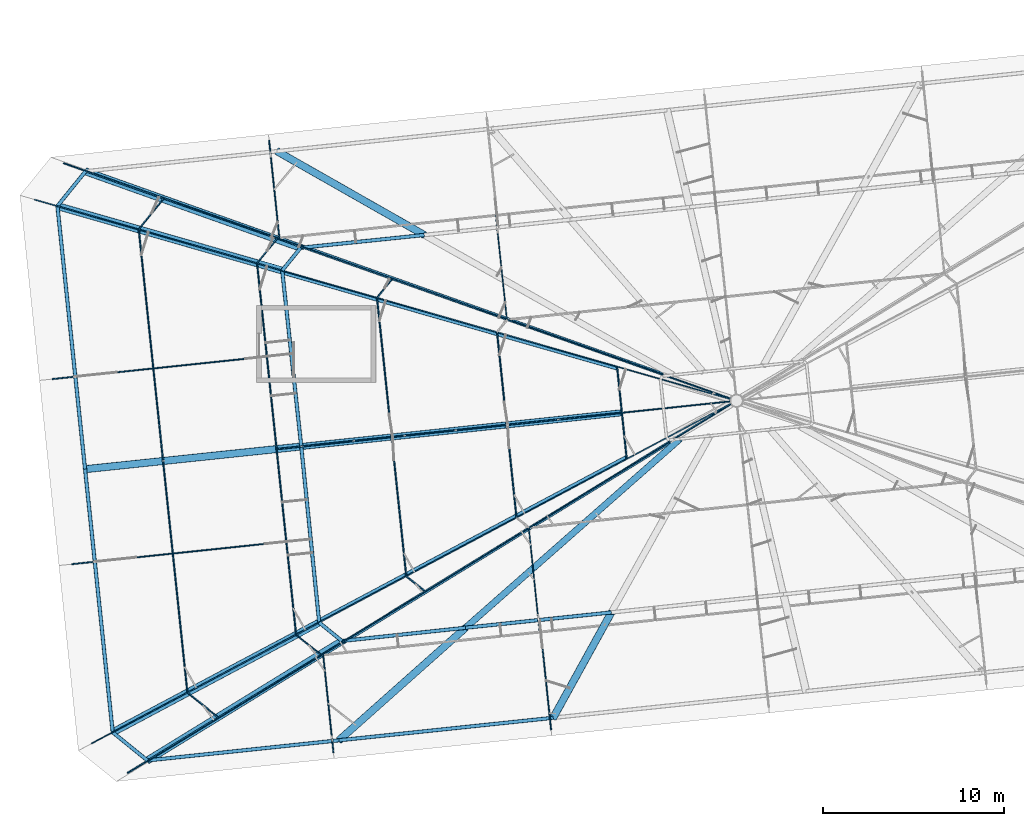
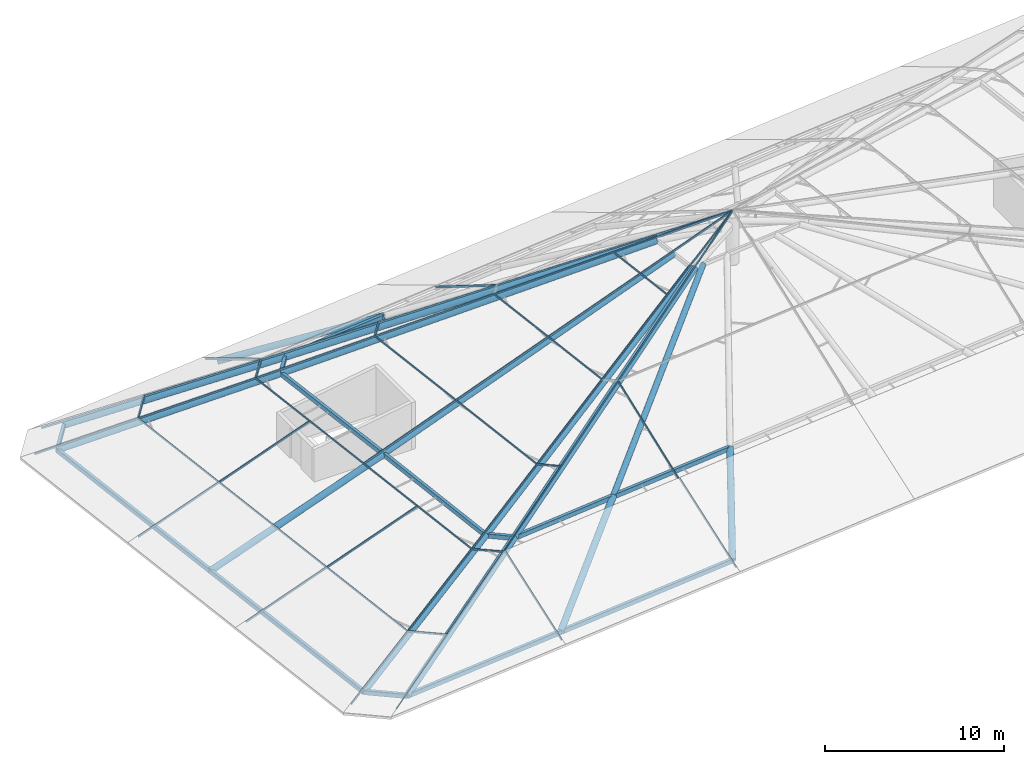
# One storey, part 1 of 20: 41 members, 13 beams, 10 elements without a shape of their own.
"""IFC4 building model written with IfcOpenShell, lengths in metres."""

import ifcopenshell
import ifcopenshell.guid

model = None  # the IFC model being written
_history = None  # IfcOwnerHistory: only IFC2X3 demands one
_inside = {}  # id of a spatial element -> (the spatial element, [elements in it])
_under = {}  # id of a project, library or spatial element -> (it, [spatial elements below it])
_declared = {}  # id of a project -> (the project, [libraries it declares])
_typed = {}  # id of a type object -> (the type object, [elements of that type])
_made_of = {}  # id of a material, layer set ... -> (it, [elements and type objects made of it])


def new_model(schema):
    """Start an empty IFC model of exactly this schema.

    Asked for "IFC4X3", IfcOpenShell would pick the latest addendum, in which some entities
    have other attributes; the version numbers below select the first issue.
    IFC2X3 requires an IfcOwnerHistory on every rooted entity: one is made here for all.
    """
    global model, _history
    if schema == "IFC4X3":
        model = ifcopenshell.file(schema_version=(4, 3, 0, 0))
    else:
        model = ifcopenshell.file(schema=schema)
    _inside.clear()
    _under.clear()
    _declared.clear()
    _typed.clear()
    _made_of.clear()
    _history = None
    if model.schema == "IFC2X3":
        org = make("IfcOrganization", Name="unknown")
        user = make(
            "IfcPersonAndOrganization",
            ThePerson=make("IfcPerson", FamilyName="unknown"),
            TheOrganization=org,
        )
        app = make(
            "IfcApplication",
            ApplicationDeveloper=org,
            Version="unknown",
            ApplicationFullName="unknown",
            ApplicationIdentifier="unknown",
        )
        _history = make(
            "IfcOwnerHistory",
            OwningUser=user,
            OwningApplication=app,
            ChangeAction="ADDED",
            CreationDate=0,
        )
    return model


def make(cls, **values):
    """One entity of the class cls with the attributes given. An attribute that is None is left unset."""
    return model.create_entity(
        cls, **{name: value for name, value in values.items() if value is not None}
    )


def rooted(cls, **values):
    """An entity with a GlobalId (a new one), such as an element, a storey or a relation."""
    return make(cls, GlobalId=ifcopenshell.guid.new(), OwnerHistory=_history, **values)


def si_unit(unit_type, name, prefix=None):
    """IfcSIUnit, for example si_unit("LENGTHUNIT", "METRE", prefix="MILLI")."""
    return make("IfcSIUnit", UnitType=unit_type, Prefix=prefix, Name=name)


def assignment(units):
    """IfcUnitAssignment: the units of a project."""
    return None if units is None else make("IfcUnitAssignment", Units=units)


def point(xyz):
    """IfcCartesianPoint."""
    return None if xyz is None else make("IfcCartesianPoint", Coordinates=xyz)


def direction(xyz):
    """IfcDirection."""
    return None if xyz is None else make("IfcDirection", DirectionRatios=xyz)


def frame(location, z_axis=None, x_axis=None):
    """IfcAxis2Placement3D, a coordinate frame: its origin and axes. An axis left out is left unset."""
    return make(
        "IfcAxis2Placement3D",
        Location=point(location),
        Axis=direction(z_axis),
        RefDirection=direction(x_axis),
    )


def frame_2d(location, x_axis=None):
    """IfcAxis2Placement2D, a coordinate frame in the plane: its origin and x axis."""
    return make(
        "IfcAxis2Placement2D", Location=point(location), RefDirection=direction(x_axis)
    )


def origin():
    """The frame at (0, 0, 0) with its axes left unset."""
    return frame((0.0, 0.0, 0.0))


def origin_2d():
    """The frame at (0, 0) in the plane with its x axis left unset."""
    return frame_2d((0.0, 0.0))


def place(relative_to, where):
    """IfcLocalPlacement: puts the frame where relative to a parent placement (None: the world)."""
    return make(
        "IfcLocalPlacement", PlacementRelTo=relative_to, RelativePlacement=where
    )


def context(
    kind, dimensions, precision=None, world=None, true_north=None, identifier=None
):
    """IfcGeometricRepresentationContext, for example the 3D "Model" context."""
    return make(
        "IfcGeometricRepresentationContext",
        ContextIdentifier=identifier,
        ContextType=kind,
        CoordinateSpaceDimension=dimensions,
        Precision=precision,
        WorldCoordinateSystem=world,
        TrueNorth=true_north,
    )


def subcontext(parent, identifier, kind, view, scale=None):
    """IfcGeometricRepresentationSubContext, for example "Body" below "Model"."""
    return make(
        "IfcGeometricRepresentationSubContext",
        ContextIdentifier=identifier,
        ContextType=kind,
        ParentContext=parent,
        TargetScale=scale,
        TargetView=view,
    )


def project(units=None, contexts=None):
    """IfcProject with its units and contexts."""
    return rooted(
        "IfcProject",
        Name="project",
        RepresentationContexts=contexts,
        UnitsInContext=assignment(units),
    )


def spatial(cls, under=None, at=None, **own):
    """A site, building, storey or space (cls), placed at a placement, below another one or the project."""
    s = rooted(cls, ObjectPlacement=at, **own)
    if under is not None:
        _under.setdefault(under.id(), (under, []))[1].append(s)
    return s


def profile(cls, at=None, kind="AREA", **sizes):
    """A parametric profile (cls). Its sizes go by their IFC names, for example OverallWidth=200.0."""
    return make(cls, ProfileType=kind, Position=at, **sizes)


def rectangle(**sizes):
    """IfcRectangleProfileDef."""
    return profile("IfcRectangleProfileDef", **sizes)


def hollow_rectangle(**sizes):
    """IfcRectangleHollowProfileDef."""
    return profile("IfcRectangleHollowProfileDef", **sizes)


def hollow_circle(**sizes):
    """IfcCircleHollowProfileDef."""
    return profile("IfcCircleHollowProfileDef", **sizes)


def extrude(swept, where, along, depth):
    """IfcExtrudedAreaSolid: the profile swept, set in the frame where, extruded along a direction by depth."""
    return make(
        "IfcExtrudedAreaSolid",
        SweptArea=swept,
        Position=where,
        ExtrudedDirection=direction(along),
        Depth=depth,
    )


def shape(context_of_items, identifier, shape_type, items):
    """IfcShapeRepresentation: the items that make up one representation, for example the "Body"."""
    return make(
        "IfcShapeRepresentation",
        ContextOfItems=context_of_items,
        RepresentationIdentifier=identifier,
        RepresentationType=shape_type,
        Items=items,
    )


def material(Name=None, Category=None):
    """IfcMaterial."""
    return make("IfcMaterial", Name=Name, Category=Category)


def layer(
    of_material, thickness, ventilated=None, Name=None, Category=None, Priority=None
):
    """IfcMaterialLayer: one layer of a wall or slab, of a material (None: an air gap)."""
    return make(
        "IfcMaterialLayer",
        Material=of_material,
        LayerThickness=thickness,
        IsVentilated=ventilated,
        Name=Name,
        Category=Category,
        Priority=Priority,
    )


def layer_set(layers, Name=None):
    """IfcMaterialLayerSet."""
    return make("IfcMaterialLayerSet", MaterialLayers=layers, LayerSetName=Name)


def material_profile(
    of_material, cross_section, Name=None, Category=None, Priority=None
):
    """IfcMaterialProfile: a cross section and its material."""
    return make(
        "IfcMaterialProfile",
        Name=Name,
        Material=of_material,
        Profile=cross_section,
        Priority=Priority,
        Category=Category,
    )


def profile_set(profiles, Name=None, composite=None):
    """IfcMaterialProfileSet."""
    return make(
        "IfcMaterialProfileSet",
        Name=Name,
        MaterialProfiles=profiles,
        CompositeProfile=composite,
    )


def made_of(thing, what):
    """Note that an element or type object is made of a material, layer set ...; save() writes the relation."""
    if what is not None:
        _made_of.setdefault(what.id(), (what, []))[1].append(thing)
    return thing


def type_object(cls, material=None, **own):
    """A type object (cls), such as IfcWallType, which elements share."""
    return made_of(rooted(cls, **own), material)


def element(
    cls,
    number,
    at=None,
    inside=None,
    cuts=None,
    type_object=None,
    material=None,
    context=None,
    identifier="Body",
    shape_type=None,
    held_by="IfcProductDefinitionShape",
    body=None,
    shapes=None,
    **own,
):
    """One element of the class cls, such as IfcWall. Its Tag is "e" and its number.

    at: its placement. inside: the storey or other place that contains it. cuts: it is an
    opening in that element (IfcRelVoidsElement). A single representation is given by context,
    identifier, shape_type and body (its items); several are given by shapes. held_by: the class
    of the entity that holds the representations. save() writes the other relations.
    """
    e = rooted(cls, Tag="e%d" % number, ObjectPlacement=at, **own)
    if body is not None:
        shapes = [shape(context, identifier, shape_type, body)]
    if shapes is not None:
        e.Representation = make(held_by, Representations=shapes)
    if inside is not None:
        _inside.setdefault(inside.id(), (inside, []))[1].append(e)
    if cuts is not None:
        rooted(
            "IfcRelVoidsElement", RelatingBuildingElement=cuts, RelatedOpeningElement=e
        )
    if type_object is not None:
        _typed.setdefault(type_object.id(), (type_object, []))[1].append(e)
    return made_of(e, material)


def aggregate(whole, parts):
    """IfcRelAggregates: a whole, such as a stair, and the parts it consists of."""
    return rooted("IfcRelAggregates", RelatingObject=whole, RelatedObjects=parts)


def save(model, path):
    """Write the relations noted so far, then the file.

    IfcRelAggregates (storeys below a building ...), IfcRelContainedInSpatialStructure (elements
    in a storey), IfcRelDefinesByType, IfcRelAssociatesMaterial and IfcRelDeclares: one each for
    every whole, place, type object, material and project.
    """
    for whole, parts in _under.values():
        aggregate(whole, parts)
    for where, things in _inside.values():
        rooted(
            "IfcRelContainedInSpatialStructure",
            RelatedElements=things,
            RelatingStructure=where,
        )
    for kind, things in _typed.values():
        rooted("IfcRelDefinesByType", RelatedObjects=things, RelatingType=kind)
    for what, things in _made_of.values():
        rooted("IfcRelAssociatesMaterial", RelatedObjects=things, RelatingMaterial=what)
    for by, libraries in _declared.values():
        rooted("IfcRelDeclares", RelatingContext=by, RelatedDefinitions=libraries)
    model.write(path)


model = new_model("IFC4")

# Units and contexts
model_context = context("Model", 3, precision=1e-05, world=origin(), true_north=direction((0.0, 1.0)))
body_context = subcontext(model_context, "Body", "Model", "MODEL_VIEW")
ifc_project = project(units=[si_unit("LENGTHUNIT", "METRE"), si_unit("AREAUNIT", "SQUARE_METRE"), si_unit("VOLUMEUNIT", "CUBIC_METRE"), si_unit("PLANEANGLEUNIT", "RADIAN"), si_unit("MASSUNIT", "GRAM", prefix="KILO")], contexts=[model_context])

# Site, building, storey
site_placement = place(None, origin())
site = spatial("IfcSite", under=ifc_project, at=site_placement, CompositionType="ELEMENT")
building_placement = place(site_placement, origin())
building = spatial("IfcBuilding", under=site, at=building_placement, Name="Hakoniwa Tower and Hamabe Station Hall", CompositionType="ELEMENT")
storey_placement = place(building_placement, frame((0.0, 0.0, 285.0)))
storey = spatial("IfcBuildingStorey", under=building, at=storey_placement, Name="Roof", CompositionType="ELEMENT", Elevation=285.0)

# Members
ifc_material_1 = material(Name="Steel STK490", Category="steel")
ifc_material_profile_1 = material_profile(ifc_material_1, hollow_circle(Radius=0.177734375, WallThickness=0.0126953125, at=origin_2d()), Name="CHS-355.6x12.7")
ifc_profile_set_1 = profile_set([ifc_material_profile_1], Name="Steel STK490")
member_type_1 = type_object("IfcMemberType", Name="CROWN RIB CHS-355.6x12.7", PredefinedType="MEMBER", material=ifc_profile_set_1)
member_1_placement = place(storey_placement, frame((-23.9951171875, -0.02197265625, 3.199951171875), z_axis=(0.960394605151, 0.100943997903, 0.259716213751), x_axis=(-0.10453098016, 0.994521630829, 0.0)))
element("IfcMember", 1, at=member_1_placement, inside=storey, type_object=member_type_1, Name="CROWN FRAME CRB-10", PredefinedType="MEMBER", context=body_context, shape_type="SweptSolid", body=[
    extrude(hollow_circle(Radius=0.177734375, WallThickness=0.0126953125, at=origin_2d()), origin(), (0.0, 0.0, 1.0), 20.79248046875),
])
member_2_placement = place(storey_placement, frame((-14.938720703125, -10.014892578125, 3.199951171875), z_axis=(0.709857797953, 0.62515777263, 0.324468281972), x_axis=(-0.660915567268, 0.750460267398, 0.0)))
element("IfcMember", 2, at=member_2_placement, inside=storey, type_object=member_type_1, Name="CROWN FRAME CRB-13", PredefinedType="MEMBER", context=body_context, shape_type="SweptSolid", body=[
    extrude(hollow_circle(Radius=0.177734375, WallThickness=0.0126953125, at=origin_2d()), origin(), (0.0, 0.0, 1.0), 16.64306640625),
])
ifc_material_2 = material(Name="Steel STK490", Category="steel")
ifc_material_profile_2 = material_profile(ifc_material_2, hollow_circle(Radius=0.203125, WallThickness=0.01611328125, at=origin_2d()), Name="CHS-406.4x16")
ifc_profile_set_2 = profile_set([ifc_material_profile_2], Name="Steel STK490")
member_type_2 = type_object("IfcMemberType", Name="CROWN RIB CHS-406.4x16", PredefinedType="MEMBER", material=ifc_profile_set_2)
member_3_placement = place(storey_placement, frame((-25.329833984375, 16.25390625, 0.14990234375), z_axis=(0.826169745052, -0.470147796978, 0.310490903824), x_axis=(0.494592356098, 0.869125078047, 0.0)))
element("IfcMember", 3, at=member_3_placement, inside=storey, type_object=member_type_2, Name="CROWN FRAME CRF-07", PredefinedType="MEMBER", context=body_context, shape_type="SweptSolid", body=[
    extrude(hollow_circle(Radius=0.203125, WallThickness=0.01611328125, at=origin_2d()), origin(), (0.0, 0.0, 1.0), 9.8232421875),
])
member_4_placement = place(storey_placement, frame((-35.888427734375, 15.14404296875, 0.14990234375), z_axis=(0.915783870683, -0.325348487485, 0.235559469959), x_axis=(0.334768905761, 0.942300259862, 0.0)))
element("IfcMember", 4, at=member_4_placement, inside=storey, type_object=member_type_2, Name="CROWN FRAME CH-3-1", PredefinedType="MEMBER", context=body_context, shape_type="SweptSolid", body=[
    extrude(hollow_circle(Radius=0.203125, WallThickness=0.01611328125, at=origin_2d()), origin(), (0.0, 0.0, 1.0), 12.947998046875),
])
member_5_placement = place(storey_placement, frame((-24.03076171875, 10.931396484375, 3.199951171875), z_axis=(0.9132514671, -0.323886863928, 0.247121543402), x_axis=(0.334253919553, 0.942483059404, 0.0)))
element("IfcMember", 5, at=member_5_placement, inside=storey, type_object=member_type_2, Name="CROWN FRAME CH-3-2", PredefinedType="MEMBER", context=body_context, shape_type="SweptSolid", body=[
    extrude(hollow_circle(Radius=0.203125, WallThickness=0.01611328125, at=origin_2d()), origin(), (0.0, 0.0, 1.0), 21.852294921875),
])
member_6_placement = place(storey_placement, frame((-37.4375, 13.231201171875, 0.14990234375), z_axis=(0.935455863756, -0.268165611488, 0.230237989438), x_axis=(0.275568949724, 0.961281308436, 0.0)))
element("IfcMember", 6, at=member_6_placement, inside=storey, type_object=member_type_2, Name="CROWN FRAME CH-4-1", PredefinedType="MEMBER", context=body_context, shape_type="SweptSolid", body=[
    extrude(hollow_circle(Radius=0.203125, WallThickness=0.01611328125, at=origin_2d()), origin(), (0.0, 0.0, 1.0), 13.247314453125),
])
member_7_placement = place(storey_placement, frame((-25.045166015625, 9.6787109375, 3.199951171875), z_axis=(0.932802333081, -0.26739663573, 0.241617148809), x_axis=(0.275561053028, 0.961283572134, 0.0)))
element("IfcMember", 7, at=member_7_placement, inside=storey, type_object=member_type_2, Name="CROWN FRAME CH-4-2", PredefinedType="MEMBER", context=body_context, shape_type="SweptSolid", body=[
    extrude(hollow_circle(Radius=0.203125, WallThickness=0.01611328125, at=origin_2d()), origin(), (0.0, 0.0, 1.0), 22.35009765625),
])
member_8_placement = place(storey_placement, frame((-35.9130859375, -1.274658203125, 0.14990234375), z_axis=(0.963794183339, 0.101303424179, 0.246654390619), x_axis=(-0.1045331311, 0.994521404748, 0.0)))
element("IfcMember", 8, at=member_8_placement, inside=storey, type_object=member_type_2, Name="CROWN FRAME CRF-10", PredefinedType="MEMBER", context=body_context, shape_type="SweptSolid", body=[
    extrude(hollow_circle(Radius=0.203125, WallThickness=0.01611328125, at=origin_2d()), origin(), (0.0, 0.0, 1.0), 12.36572265625),
])
member_9_placement = place(storey_placement, frame((-34.38818359375, -15.7802734375, 0.14990234375), z_axis=(0.85925987518, 0.456795111235, 0.230240511767), x_axis=(-0.46940629538, 0.88298229306, 0.0)))
element("IfcMember", 9, at=member_9_placement, inside=storey, type_object=member_type_2, Name="CROWN FRAME CH-5-1", PredefinedType="MEMBER", context=body_context, shape_type="SweptSolid", body=[
    extrude(hollow_circle(Radius=0.203125, WallThickness=0.01611328125, at=origin_2d()), origin(), (0.0, 0.0, 1.0), 13.247314453125),
])
member_10_placement = place(storey_placement, frame((-23.00537109375, -9.72900390625, 3.199951171875), z_axis=(0.856822837257, 0.455496060515, 0.24161532321), x_axis=(-0.469403494722, 0.882983781925, 0.0)))
element("IfcMember", 10, at=member_10_placement, inside=storey, type_object=member_type_2, Name="CROWN FRAME CH-5-2", PredefinedType="MEMBER", context=body_context, shape_type="SweptSolid", body=[
    extrude(hollow_circle(Radius=0.203125, WallThickness=0.01611328125, at=origin_2d()), origin(), (0.0, 0.0, 1.0), 22.35009765625),
])
member_11_placement = place(storey_placement, frame((-32.475341796875, -17.32958984375, 0.14990234375), z_axis=(0.828119300179, 0.508656064684, 0.235557705308), x_axis=(-0.523383896937, 0.852096999424, 0.0)))
element("IfcMember", 11, at=member_11_placement, inside=storey, type_object=member_type_2, Name="CROWN FRAME CH-6-1", PredefinedType="MEMBER", context=body_context, shape_type="SweptSolid", body=[
    extrude(hollow_circle(Radius=0.203125, WallThickness=0.01611328125, at=origin_2d()), origin(), (0.0, 0.0, 1.0), 12.9482421875),
])
member_12_placement = place(storey_placement, frame((-21.752685546875, -10.743408203125, 3.199951171875), z_axis=(0.825956394147, 0.506681479696, 0.247123275107), x_axis=(-0.522899711615, 0.852394211379, 0.0)))
element("IfcMember", 12, at=member_12_placement, inside=storey, type_object=member_type_2, Name="CROWN FRAME CH-6-2", PredefinedType="MEMBER", context=body_context, shape_type="SweptSolid", body=[
    extrude(hollow_circle(Radius=0.203125, WallThickness=0.01611328125, at=origin_2d()), origin(), (0.0, 0.0, 1.0), 21.85205078125),
])
member_13_placement = place(storey_placement, frame((-21.916748046875, -16.2197265625, 0.14990234375), z_axis=(0.710360571468, 0.631649776918, 0.310493828961), x_axis=(-0.664492032964, 0.747295348659, 0.0)))
element("IfcMember", 13, at=member_13_placement, inside=storey, type_object=member_type_2, Name="CROWN FRAME CRF-13", PredefinedType="MEMBER", context=body_context, shape_type="SweptSolid", body=[
    extrude(hollow_circle(Radius=0.203125, WallThickness=0.01611328125, at=origin_2d()), origin(), (0.0, 0.0, 1.0), 9.8232421875),
])
member_14_placement = place(storey_placement, frame((-10.10498046875, -14.978271484375, 0.14990234375), z_axis=(0.438917858324, 0.795509359252, 0.417751089749), x_axis=(-0.875570168766, 0.48309096407, 0.0)))
element("IfcMember", 14, at=member_14_placement, inside=storey, type_object=member_type_2, Name="CROWN FRAME CRF-14", PredefinedType="MEMBER", context=body_context, shape_type="SweptSolid", body=[
    extrude(hollow_circle(Radius=0.203125, WallThickness=0.01611328125, at=origin_2d()), origin(), (0.0, 0.0, 1.0), 7.301025390625),
])

# Beams
ifc_material_3 = material(Name="Steel STKR400", Category="steel")
ifc_material_profile_3 = material_profile(ifc_material_3, hollow_rectangle(XDim=0.199951171875, YDim=0.300048828125, WallThickness=0.009033203125, InnerFilletRadius=0.00439453125, OuterFilletRadius=0.013427734375, at=origin_2d()), Name="RHS-300x200x9")
ifc_profile_set_3 = profile_set([ifc_material_profile_3], Name="Steel STKR400")
beam_type = type_object("IfcBeamType", Name="CROWN RING BEAM RHS-300x200x9", PredefinedType="BEAM", material=ifc_profile_set_3)
beam_1_placement = place(storey_placement, frame((-35.888427734375, 15.14404296875, 0.14990234375), z_axis=(-0.629340884158, -0.777129366017, 0.0), x_axis=(0.777129366017, -0.629340884158, 0.0)))
element("IfcBeam", 15, at=beam_1_placement, inside=storey, type_object=beam_type, Name="CROWN FRAME CRA-08", PredefinedType="BEAM", context=body_context, shape_type="SweptSolid", body=[
    extrude(hollow_rectangle(XDim=0.199951171875, YDim=0.300048828125, WallThickness=0.009033203125, InnerFilletRadius=0.00439453125, OuterFilletRadius=0.013427734375, at=origin_2d()), origin(), (0.0, 0.0, 1.0), 2.46142578125),
])
beam_2_placement = place(storey_placement, frame((-37.4375, 13.231201171875, 0.14990234375), z_axis=(0.104514006356, -0.994523414745, 0.0), x_axis=(0.994523414745, 0.104514006356, 0.0)))
element("IfcBeam", 16, at=beam_2_placement, inside=storey, type_object=beam_type, Name="CROWN FRAME CRA-09", PredefinedType="BEAM", context=body_context, shape_type="SweptSolid", body=[
    extrude(hollow_rectangle(XDim=0.199951171875, YDim=0.300048828125, WallThickness=0.009033203125, InnerFilletRadius=0.00439453125, OuterFilletRadius=0.013427734375, at=origin_2d()), origin(), (0.0, 0.0, 1.0), 14.585693359375),
])
beam_3_placement = place(storey_placement, frame((-35.9130859375, -1.274658203125, 0.14990234375), z_axis=(0.104548857506, -0.994519751636, 0.0), x_axis=(0.994519751636, 0.104548857506, 0.0)))
element("IfcBeam", 17, at=beam_3_placement, inside=storey, type_object=beam_type, Name="CROWN FRAME CRA-10", PredefinedType="BEAM", context=body_context, shape_type="SweptSolid", body=[
    extrude(hollow_rectangle(XDim=0.199951171875, YDim=0.300048828125, WallThickness=0.009033203125, InnerFilletRadius=0.00439453125, OuterFilletRadius=0.013427734375, at=origin_2d()), origin(), (0.0, 0.0, 1.0), 14.58544921875),
])
beam_4_placement = place(storey_placement, frame((-34.38818359375, -15.7802734375, 0.14990234375), z_axis=(0.777080856479, -0.6294007805, 0.0), x_axis=(0.6294007805, 0.777080856479, 0.0)))
element("IfcBeam", 18, at=beam_4_placement, inside=storey, type_object=beam_type, Name="CROWN FRAME CRA-11", PredefinedType="BEAM", context=body_context, shape_type="SweptSolid", body=[
    extrude(hollow_rectangle(XDim=0.199951171875, YDim=0.300048828125, WallThickness=0.009033203125, InnerFilletRadius=0.00439453125, OuterFilletRadius=0.013427734375, at=origin_2d()), origin(), (0.0, 0.0, 1.0), 2.461669921875),
])
beam_5_placement = place(storey_placement, frame((-32.475341796875, -17.32958984375, 0.14990234375), z_axis=(0.99452081471, 0.104538744535, 0.0), x_axis=(-0.104538744535, 0.99452081471, 0.0)))
element("IfcBeam", 19, at=beam_5_placement, inside=storey, type_object=beam_type, Name="CROWN FRAME CRA-12", PredefinedType="BEAM", context=body_context, shape_type="SweptSolid", body=[
    extrude(hollow_rectangle(XDim=0.199951171875, YDim=0.300048828125, WallThickness=0.009033203125, InnerFilletRadius=0.00439453125, OuterFilletRadius=0.013427734375, at=origin_2d()), origin(), (0.0, 0.0, 1.0), 10.61669921875),
])
beam_6_placement = place(storey_placement, frame((-21.916748046875, -16.2197265625, 0.14990234375), z_axis=(0.994521997954, 0.104527487228, 0.0), x_axis=(-0.104527487228, 0.994521997954, 0.0)))
element("IfcBeam", 20, at=beam_6_placement, inside=storey, type_object=beam_type, Name="CROWN FRAME CRA-13", PredefinedType="BEAM", context=body_context, shape_type="SweptSolid", body=[
    extrude(hollow_rectangle(XDim=0.199951171875, YDim=0.300048828125, WallThickness=0.009033203125, InnerFilletRadius=0.00439453125, OuterFilletRadius=0.013427734375, at=origin_2d()), origin(), (0.0, 0.0, 1.0), 11.876708984375),
])
beam_7_placement = place(storey_placement, frame((-17.214111328125, 11.635498046875, 3.199951171875), z_axis=(-0.994707750586, -0.102744785383, 0.0), x_axis=(0.102744785383, -0.994707750586, 0.0)))
element("IfcBeam", 21, at=beam_7_placement, inside=storey, type_object=beam_type, Name="CROWN FRAME CR1-07", PredefinedType="BEAM", context=body_context, shape_type="SweptSolid", body=[
    extrude(hollow_rectangle(XDim=0.199951171875, YDim=0.300048828125, WallThickness=0.009033203125, InnerFilletRadius=0.00439453125, OuterFilletRadius=0.013427734375, at=origin_2d()), origin(), (0.0, 0.0, 1.0), 6.85302734375),
])
beam_8_placement = place(storey_placement, frame((-24.03076171875, 10.931396484375, 3.199951171875), z_axis=(-0.629320219595, -0.777146100299, 0.0), x_axis=(0.777146100299, -0.629320219595, 0.0)))
element("IfcBeam", 22, at=beam_8_placement, inside=storey, type_object=beam_type, Name="CROWN FRAME CR1-08", PredefinedType="BEAM", context=body_context, shape_type="SweptSolid", body=[
    extrude(hollow_rectangle(XDim=0.199951171875, YDim=0.300048828125, WallThickness=0.009033203125, InnerFilletRadius=0.00439453125, OuterFilletRadius=0.013427734375, at=origin_2d()), origin(), (0.0, 0.0, 1.0), 1.61181640625),
])
for number, where, z_axis, x_axis, name in (
    (23, (-25.045166015625, 9.6787109375, 3.199951171875), (0.107616197734, -0.994192513543, 0.0), (0.994192513543, 0.107616197734, 0.0), "CROWN FRAME CR1-09"),
    (24, (-23.9951171875, -0.02197265625, 3.199951171875), (0.101435860078, -0.994842081081, 0.0), (0.994842081081, 0.101435860078, 0.0), "CROWN FRAME CR1-10"),
):
    element("IfcBeam", number, at=place(storey_placement, frame(where, z_axis=z_axis, x_axis=x_axis)), inside=storey, type_object=beam_type, Name=name, PredefinedType="BEAM", context=body_context, shape_type="SweptSolid", body=[
        extrude(hollow_rectangle(XDim=0.199951171875, YDim=0.300048828125, WallThickness=0.009033203125, InnerFilletRadius=0.00439453125, OuterFilletRadius=0.013427734375, at=origin_2d()), origin(), (0.0, 0.0, 1.0), 9.75732421875),
    ])
beam_9_placement = place(storey_placement, frame((-23.00537109375, -9.72900390625, 3.199951171875), z_axis=(0.777146100299, -0.629320219595, 0.0), x_axis=(0.629320219595, 0.777146100299, 0.0)))
element("IfcBeam", 25, at=beam_9_placement, inside=storey, type_object=beam_type, Name="CROWN FRAME CR1-11", PredefinedType="BEAM", context=body_context, shape_type="SweptSolid", body=[
    extrude(hollow_rectangle(XDim=0.199951171875, YDim=0.300048828125, WallThickness=0.009033203125, InnerFilletRadius=0.00439453125, OuterFilletRadius=0.013427734375, at=origin_2d()), origin(), (0.0, 0.0, 1.0), 1.61181640625),
])
beam_10_placement = place(storey_placement, frame((-21.752685546875, -10.743408203125, 3.199951171875), z_axis=(0.994333119254, 0.106309209167, 0.0), x_axis=(-0.106309209167, 0.994333119254, 0.0)))
element("IfcBeam", 26, at=beam_10_placement, inside=storey, type_object=beam_type, Name="CROWN FRAME CR1-12", PredefinedType="BEAM", context=body_context, shape_type="SweptSolid", body=[
    extrude(hollow_rectangle(XDim=0.199951171875, YDim=0.300048828125, WallThickness=0.009033203125, InnerFilletRadius=0.00439453125, OuterFilletRadius=0.013427734375, at=origin_2d()), origin(), (0.0, 0.0, 1.0), 6.852783203125),
])
beam_11_placement = place(storey_placement, frame((-14.938720703125, -10.014892578125, 3.199951171875), z_axis=(0.994523644075, 0.1045118241, 0.0), x_axis=(-0.1045118241, 0.994523644075, 0.0)))
element("IfcBeam", 27, at=beam_11_placement, inside=storey, type_object=beam_type, Name="CROWN FRAME CR1-13", PredefinedType="BEAM", context=body_context, shape_type="SweptSolid", body=[
    extrude(hollow_rectangle(XDim=0.199951171875, YDim=0.300048828125, WallThickness=0.009033203125, InnerFilletRadius=0.00439453125, OuterFilletRadius=0.013427734375, at=origin_2d()), origin(), (0.0, 0.0, 1.0), 8.08251953125),
])

# Curtain wall, member
ifc_material_4 = material(Name="Dark low-e laminated glass", Category="glass")
ifc_layer = layer(ifc_material_4, 0.199951171875)
ifc_layer_set = layer_set([ifc_layer], Name="CW-4 CROWN FACETS")
curtain_wall_type = type_object("IfcCurtainWallType", Name="CW-4 CROWN FACETS", PredefinedType="NOTDEFINED", material=ifc_layer_set)
curtain_wall_1_placement = place(storey_placement, origin())
curtain_wall_1 = element("IfcCurtainWall", 28, at=curtain_wall_1_placement, inside=storey, type_object=curtain_wall_type, Name="Crown tent facet", PredefinedType="NOTDEFINED")
ifc_material_5 = material(Name="Aluminium 6063-T5 black anodised", Category="aluminium")
ifc_material_profile_4 = material_profile(ifc_material_5, rectangle(XDim=0.06005859375, YDim=0.1201171875, at=origin_2d()), Name="CW-4 GLAZING BAR 60X120")
ifc_profile_set_4 = profile_set([ifc_material_profile_4], Name="Aluminium 6063-T5 black anodised")
member_type_3 = type_object("IfcMemberType", Name="CW-4 GLAZING BAR 60X120", PredefinedType="MULLION", material=ifc_profile_set_4)
member_15_placement = place(storey_placement, frame((-11.4462890625, -4.498046875, 6.5146484375), z_axis=(0.088895453943, -0.857926711997, -0.506023077646), x_axis=(0.994635411679, 0.103440721246, -0.000644222469)))
member_15 = element("IfcMember", 29, at=member_15_placement, type_object=member_type_3, Name="Crown glazing bar", PredefinedType="MULLION", context=body_context, shape_type="SweptSolid", body=[
    extrude(rectangle(XDim=0.06005859375, YDim=0.1201171875, at=origin_2d()), origin(), (0.0, 0.0, 1.0), 6.703857421875),
])

curtain_wall_2_placement = place(storey_placement, origin())
curtain_wall_2 = element("IfcCurtainWall", 30, at=curtain_wall_2_placement, inside=storey, type_object=curtain_wall_type, Name="Crown tent facet", PredefinedType="NOTDEFINED")
member_16_placement = place(storey_placement, frame((-13.26416015625, 12.715087890625, 3.122314453125), z_axis=(0.091443665204, -0.857662190048, 0.506017414578), x_axis=(0.994404032741, 0.105641858482, -0.000646068161)))
member_16 = element("IfcMember", 31, at=member_16_placement, type_object=member_type_3, Name="Crown glazing bar", PredefinedType="MULLION", context=body_context, shape_type="SweptSolid", body=[
    extrude(rectangle(XDim=0.06005859375, YDim=0.1201171875, at=origin_2d()), origin(), (0.0, 0.0, 1.0), 6.7041015625),
])
aggregate(curtain_wall_2, [member_16])

# Curtain wall, members
curtain_wall_3_placement = place(storey_placement, origin())
curtain_wall_3 = element("IfcCurtainWall", 32, at=curtain_wall_3_placement, inside=storey, type_object=curtain_wall_type, Name="Crown tent facet", PredefinedType="NOTDEFINED")
member_17_placement = place(storey_placement, frame((-22.78759765625, -11.504150390625, 3.122314453125), z_axis=(0.091171655854, -0.867547906607, -0.488925719215), x_axis=(0.994523242325, 0.104515647038, -1.5e-11)))
member_17 = element("IfcMember", 33, at=member_17_placement, type_object=member_type_3, Name="Crown glazing bar", PredefinedType="MULLION", context=body_context, shape_type="SweptSolid", body=[
    extrude(rectangle(XDim=0.06005859375, YDim=0.1201171875, at=origin_2d()), origin(), (0.0, 0.0, 1.0), 6.201904296875),
])
member_18_placement = place(storey_placement, frame((-10.79052734375, -10.2431640625, 3.122314453125), z_axis=(0.091210694423, -0.867544792267, -0.48892396406), x_axis=(0.994518550631, 0.104560281423, -1.5e-11)))
member_18 = element("IfcMember", 34, at=member_18_placement, type_object=member_type_3, Name="Crown glazing bar", PredefinedType="MULLION", context=body_context, shape_type="SweptSolid", body=[
    extrude(rectangle(XDim=0.06005859375, YDim=0.1201171875, at=origin_2d()), origin(), (0.0, 0.0, 1.0), 6.201904296875),
])
aggregate(curtain_wall_3, [member_17, member_18])

# Curtain wall, member
curtain_wall_4_placement = place(storey_placement, origin())
curtain_wall_4 = element("IfcCurtainWall", 35, at=curtain_wall_4_placement, inside=storey, type_object=curtain_wall_type, Name="Crown tent facet", PredefinedType="NOTDEFINED")
member_19_placement = place(storey_placement, frame((-25.766845703125, 16.840576171875, 0.090087890625), z_axis=(0.091174769627, -0.86753816851, 0.48894241743), x_axis=(0.994522749339, 0.104520337962, 1.5e-11)))
member_19 = element("IfcMember", 36, at=member_19_placement, type_object=member_type_3, Name="Crown glazing bar", PredefinedType="MULLION", context=body_context, shape_type="SweptSolid", body=[
    extrude(rectangle(XDim=0.06005859375, YDim=0.1201171875, at=origin_2d()), origin(), (0.0, 0.0, 1.0), 6.20166015625),
])

curtain_wall_5_placement = place(storey_placement, origin())
curtain_wall_5 = element("IfcCurtainWall", 37, at=curtain_wall_5_placement, inside=storey, type_object=curtain_wall_type, Name="Crown tent facet", PredefinedType="NOTDEFINED")
member_20_placement = place(storey_placement, frame((-32.962646484375, 11.948974609375, 1.511962890625), z_axis=(0.104536348596, -0.994521066555, 0.0), x_axis=(0.963794885217, 0.101306650492, 0.246650322919)))
member_20 = element("IfcMember", 38, at=member_20_placement, type_object=member_type_3, Name="Crown glazing bar", PredefinedType="MULLION", context=body_context, shape_type="SweptSolid", body=[
    extrude(rectangle(XDim=0.06005859375, YDim=0.1201171875, at=origin_2d()), origin(), (0.0, 0.0, 1.0), 25.685302734375),
])

# Curtain wall, members
curtain_wall_6_placement = place(storey_placement, origin())
curtain_wall_6 = element("IfcCurtainWall", 39, at=curtain_wall_6_placement, inside=storey, type_object=curtain_wall_type, Name="Crown tent facet", PredefinedType="NOTDEFINED")
member_21_placement = place(storey_placement, frame((-26.43896484375, 10.078857421875, 3.10205078125), z_axis=(0.104519463551, -0.994522841165, -1.1850279e-05), x_axis=(0.962418564973, 0.101142458771, 0.252033150258)))
member_21 = element("IfcMember", 40, at=member_21_placement, type_object=member_type_3, Name="Crown glazing bar", PredefinedType="MULLION", context=body_context, shape_type="SweptSolid", body=[
    extrude(rectangle(XDim=0.06005859375, YDim=0.1201171875, at=origin_2d()), origin(), (0.0, 0.0, 1.0), 20.60205078125),
])
member_22_placement = place(storey_placement, frame((-19.827880859375, 8.18359375, 4.812255859375), z_axis=(0.10452931889, -0.994521805438, 0.0), x_axis=(0.961009165097, 0.101006969305, 0.257408190916)))
member_22 = element("IfcMember", 41, at=member_22_placement, type_object=member_type_3, Name="Crown glazing bar", PredefinedType="MULLION", context=body_context, shape_type="SweptSolid", body=[
    extrude(rectangle(XDim=0.06005859375, YDim=0.1201171875, at=origin_2d()), origin(), (0.0, 0.0, 1.0), 15.4501953125),
])
member_23_placement = place(storey_placement, frame((-13.211669921875, 6.287109375, 6.51220703125), z_axis=(0.104536644512, -0.994521035451, 0.0), x_axis=(0.961008421056, 0.101014048074, 0.257408190916)))
member_23 = element("IfcMember", 42, at=member_23_placement, type_object=member_type_3, Name="Crown glazing bar", PredefinedType="MULLION", context=body_context, shape_type="SweptSolid", body=[
    extrude(rectangle(XDim=0.06005859375, YDim=0.1201171875, at=origin_2d()), origin(), (0.0, 0.0, 1.0), 10.294677734375),
])
member_24_placement = place(storey_placement, frame((-6.595458984375, 4.390380859375, 8.212158203125), z_axis=(0.104516619295, -0.994523140149, 0.0), x_axis=(0.961010454832, 0.100994697651, 0.257408190916)))
member_24 = element("IfcMember", 43, at=member_24_placement, type_object=member_type_3, Name="Crown glazing bar", PredefinedType="MULLION", context=body_context, shape_type="SweptSolid", body=[
    extrude(rectangle(XDim=0.06005859375, YDim=0.1201171875, at=origin_2d()), origin(), (0.0, 0.0, 1.0), 5.138916015625),
])

curtain_wall_7_placement = place(storey_placement, origin())
curtain_wall_7 = element("IfcCurtainWall", 44, at=curtain_wall_7_placement, inside=storey, type_object=curtain_wall_type, Name="Crown tent facet", PredefinedType="NOTDEFINED")
member_25_placement = place(storey_placement, frame((-32.962646484375, 11.948974609375, 1.511962890625), z_axis=(0.632283722648, 0.774736293489, 0.00098469519), x_axis=(-0.750311264564, 0.612665426063, -0.248342670468)))
member_25 = element("IfcMember", 45, at=member_25_placement, type_object=member_type_3, Name="Crown glazing bar", PredefinedType="MULLION", context=body_context, shape_type="SweptSolid", body=[
    extrude(rectangle(XDim=0.06005859375, YDim=0.1201171875, at=origin_2d()), origin(), (0.0, 0.0, 1.0), 2.2314453125),
])
member_26_placement = place(storey_placement, frame((-26.43896484375, 10.078857421875, 3.10205078125), z_axis=(0.637204410935, 0.770690460532, 0.002598601375), x_axis=(-0.745048815912, 0.616859554453, -0.253745053132)))
member_26 = element("IfcMember", 46, at=member_26_placement, type_object=member_type_3, Name="Crown glazing bar", PredefinedType="MULLION", context=body_context, shape_type="SweptSolid", body=[
    extrude(rectangle(XDim=0.06005859375, YDim=0.1201171875, at=origin_2d()), origin(), (0.0, 0.0, 1.0), 1.78515625),
])
aggregate(curtain_wall_7, [member_25, member_26])

# Curtain wall, member
curtain_wall_8_placement = place(storey_placement, origin())
curtain_wall_8 = element("IfcCurtainWall", 47, at=curtain_wall_8_placement, inside=storey, type_object=curtain_wall_type, Name="Crown tent facet", PredefinedType="NOTDEFINED")
member_27_placement = place(storey_placement, frame((-19.827880859375, 8.183837890625, 4.812255859375), z_axis=(0.634433688117, 0.772975533356, 0.001649307681), x_axis=(-0.746296129181, 0.613089056204, -0.259159982892)))
member_27 = element("IfcMember", 48, at=member_27_placement, type_object=member_type_3, Name="Crown glazing bar", PredefinedType="MULLION", context=body_context, shape_type="SweptSolid", body=[
    extrude(rectangle(XDim=0.06005859375, YDim=0.1201171875, at=origin_2d()), origin(), (0.0, 0.0, 1.0), 1.332275390625),
])

curtain_wall_9_placement = place(storey_placement, origin())
curtain_wall_9 = element("IfcCurtainWall", 49, at=curtain_wall_9_placement, inside=storey, type_object=curtain_wall_type, Name="Crown tent facet", PredefinedType="NOTDEFINED")
member_28_placement = place(storey_placement, frame((-30.277587890625, -13.595703125, 1.511962890625), z_axis=(0.779489475739, -0.626414549214, 0.000984756497), x_axis=(0.606600025862, 0.755223348237, 0.248342712601)))
member_28 = element("IfcMember", 50, at=member_28_placement, type_object=member_type_3, Name="Crown glazing bar", PredefinedType="MULLION", context=body_context, shape_type="SweptSolid", body=[
    extrude(rectangle(XDim=0.06005859375, YDim=0.1201171875, at=origin_2d()), origin(), (0.0, 0.0, 1.0), 2.231201171875),
])

# Curtain wall, members
curtain_wall_10_placement = place(storey_placement, origin())
curtain_wall_10 = element("IfcCurtainWall", 51, at=curtain_wall_10_placement, inside=storey, type_object=curtain_wall_type, Name="Crown tent facet", PredefinedType="NOTDEFINED")
member_29_placement = place(storey_placement, frame((-24.28564453125, -10.410400390625, 3.101806640625), z_axis=(0.783540667742, -0.621334483078, 0.002735348814), x_axis=(0.600457162684, 0.758330175138, 0.253745031984)))
member_29 = element("IfcMember", 52, at=member_29_placement, type_object=member_type_3, Name="Crown glazing bar", PredefinedType="MULLION", context=body_context, shape_type="SweptSolid", body=[
    extrude(rectangle(XDim=0.06005859375, YDim=0.1201171875, at=origin_2d()), origin(), (0.0, 0.0, 1.0), 1.78515625),
])
member_30_placement = place(storey_placement, frame((-18.212890625, -7.181884765625, 4.812255859375), z_axis=(0.781171572915, -0.624314226817, 0.001649201069), x_axis=(0.602651024616, 0.754750149336, 0.259160094547)))
member_30 = element("IfcMember", 53, at=member_30_placement, type_object=member_type_3, Name="Crown glazing bar", PredefinedType="MULLION", context=body_context, shape_type="SweptSolid", body=[
    extrude(rectangle(XDim=0.06005859375, YDim=0.1201171875, at=origin_2d()), origin(), (0.0, 0.0, 1.0), 1.332275390625),
])

# Member
member_31_placement = place(storey_placement, frame((-22.88623046875, -11.51708984375, 3.1015625), z_axis=(0.826753019895, 0.506359986817, 0.245110195312), x_axis=(-0.559745630575, 0.783990326151, 0.26841012938)))
member_31 = element("IfcMember", 54, at=member_31_placement, type_object=member_type_3, Name="Crown glazing bar", PredefinedType="MULLION", context=body_context, shape_type="SweptSolid", body=[
    extrude(rectangle(XDim=0.06005859375, YDim=0.1201171875, at=origin_2d()), origin(), (0.0, 0.0, 1.0), 27.68212890625),
])

aggregate(curtain_wall_1, [member_15, member_31])

member_32_placement = place(storey_placement, frame((-33.560791015625, -18.025634765625, 0.090087890625), z_axis=(0.830063533021, 0.506110370441, 0.234193988138), x_axis=(-0.555092250129, 0.790163047563, 0.259836394896)))
member_32 = element("IfcMember", 55, at=member_32_placement, type_object=member_type_3, Name="Crown glazing bar", PredefinedType="MULLION", context=body_context, shape_type="SweptSolid", body=[
    extrude(rectangle(XDim=0.06005859375, YDim=0.1201171875, at=origin_2d()), origin(), (0.0, 0.0, 1.0), 12.85986328125),
])

aggregate(curtain_wall_9, [member_28, member_32])

member_33_placement = place(storey_placement, frame((-24.28515625, -10.409912109375, 3.09912109375), z_axis=(0.857246972754, 0.455709774331, 0.239700290536), x_axis=(-0.469911399442, 0.882710379716, 0.002379541106)))
member_33 = element("IfcMember", 56, at=member_33_placement, type_object=member_type_3, Name="Crown glazing bar", PredefinedType="MULLION", context=body_context, shape_type="SweptSolid", body=[
    extrude(rectangle(XDim=0.06005859375, YDim=0.1201171875, at=origin_2d()), origin(), (0.0, 0.0, 1.0), 28.329345703125),
])

aggregate(curtain_wall_10, [member_29, member_30, member_33])

member_34_placement = place(storey_placement, frame((-35.545166015625, -16.395263671875, 0.090087890625), z_axis=(0.859397506294, 0.456819870868, 0.229677016166), x_axis=(-0.469844945821, 0.882745970565, 0.002297463233)))
member_34 = element("IfcMember", 57, at=member_34_placement, type_object=member_type_3, Name="Crown glazing bar", PredefinedType="MULLION", context=body_context, shape_type="SweptSolid", body=[
    extrude(rectangle(XDim=0.06005859375, YDim=0.1201171875, at=origin_2d()), origin(), (0.0, 0.0, 1.0), 13.102294921875),
])

member_35_placement = place(storey_placement, frame((-25.300048828125, 11.452392578125, 3.1015625), z_axis=(0.913963191198, -0.323404802305, 0.245113481842), x_axis=(0.384515769803, 0.883234836485, -0.268409847794)))
member_35 = element("IfcMember", 58, at=member_35_placement, type_object=member_type_3, Name="Crown glazing bar", PredefinedType="MULLION", context=body_context, shape_type="SweptSolid", body=[
    extrude(rectangle(XDim=0.06005859375, YDim=0.1201171875, at=origin_2d()), origin(), (0.0, 0.0, 1.0), 27.681640625),
])

member_36_placement = place(storey_placement, frame((-37.094970703125, 15.599365234375, 0.090087890625), z_axis=(0.917152648787, -0.322468069224, 0.234190869066), x_axis=(0.378674460783, 0.888307604265, -0.259836973803)))
member_36 = element("IfcMember", 59, at=member_36_placement, type_object=member_type_3, Name="Crown glazing bar", PredefinedType="MULLION", context=body_context, shape_type="SweptSolid", body=[
    extrude(rectangle(XDim=0.06005859375, YDim=0.1201171875, at=origin_2d()), origin(), (0.0, 0.0, 1.0), 12.860107421875),
])

aggregate(curtain_wall_4, [member_19, member_36])

member_37_placement = place(storey_placement, frame((-26.438232421875, 10.07861328125, 3.099365234375), z_axis=(0.93326192526, -0.267522847549, 0.239695024769), x_axis=(0.276119654814, 0.961120322845, -0.002379336198)))
member_37 = element("IfcMember", 60, at=member_37_placement, type_object=member_type_3, Name="Crown glazing bar", PredefinedType="MULLION", context=body_context, shape_type="SweptSolid", body=[
    extrude(rectangle(XDim=0.06005859375, YDim=0.1201171875, at=origin_2d()), origin(), (0.0, 0.0, 1.0), 28.328857421875),
])

aggregate(curtain_wall_8, [member_27, member_35, member_37])

member_38_placement = place(storey_placement, frame((-38.697021484375, 13.592041015625, 0.090087890625), z_axis=(0.935600531196, -0.268147599069, 0.229670440284), x_axis=(0.276032634382, 0.961145520352, -0.002296402256)))
member_38 = element("IfcMember", 61, at=member_38_placement, type_object=member_type_3, Name="Crown glazing bar", PredefinedType="MULLION", context=body_context, shape_type="SweptSolid", body=[
    extrude(rectangle(XDim=0.06005859375, YDim=0.1201171875, at=origin_2d()), origin(), (0.0, 0.0, 1.0), 13.1025390625),
])

member_39_placement = place(storey_placement, frame((-25.365478515625, -0.166015625, 3.11279296875), z_axis=(0.961091623375, 0.101014663823, 0.257097120114), x_axis=(-0.104528314992, 0.994521910953, -3.3278e-08)))
member_39 = element("IfcMember", 62, at=member_39_placement, type_object=member_type_3, Name="Crown glazing bar", PredefinedType="MULLION", context=body_context, shape_type="SweptSolid", body=[
    extrude(rectangle(XDim=0.06005859375, YDim=0.1201171875, at=origin_2d()), origin(), (0.0, 0.0, 1.0), 26.392333984375),
])

aggregate(curtain_wall_6, [member_21, member_22, member_23, member_24, member_39])

member_40_placement = place(storey_placement, frame((-37.712890625, 3.694580078125, 0.090087890625), z_axis=(0.963797030617, 0.101282459407, 0.246651874492), x_axis=(-0.104511428877, 0.994523685607, 0.0)))
member_40 = element("IfcMember", 63, at=member_40_placement, type_object=member_type_3, Name="Crown glazing bar", PredefinedType="MULLION", context=body_context, shape_type="SweptSolid", body=[
    extrude(rectangle(XDim=0.06005859375, YDim=0.1201171875, at=origin_2d()), origin(), (0.0, 0.0, 1.0), 12.2548828125),
])

member_41_placement = place(storey_placement, frame((-36.640380859375, -6.50927734375, 0.090087890625), z_axis=(0.96379508575, 0.101302176792, 0.246651376768), x_axis=(-0.104531761205, 0.994521548736, 0.0)))
member_41 = element("IfcMember", 64, at=member_41_placement, type_object=member_type_3, Name="Crown glazing bar", PredefinedType="MULLION", context=body_context, shape_type="SweptSolid", body=[
    extrude(rectangle(XDim=0.06005859375, YDim=0.1201171875, at=origin_2d()), origin(), (0.0, 0.0, 1.0), 12.2548828125),
])

aggregate(curtain_wall_5, [member_20, member_34, member_38, member_40, member_41])

save(model, "model.ifc")
